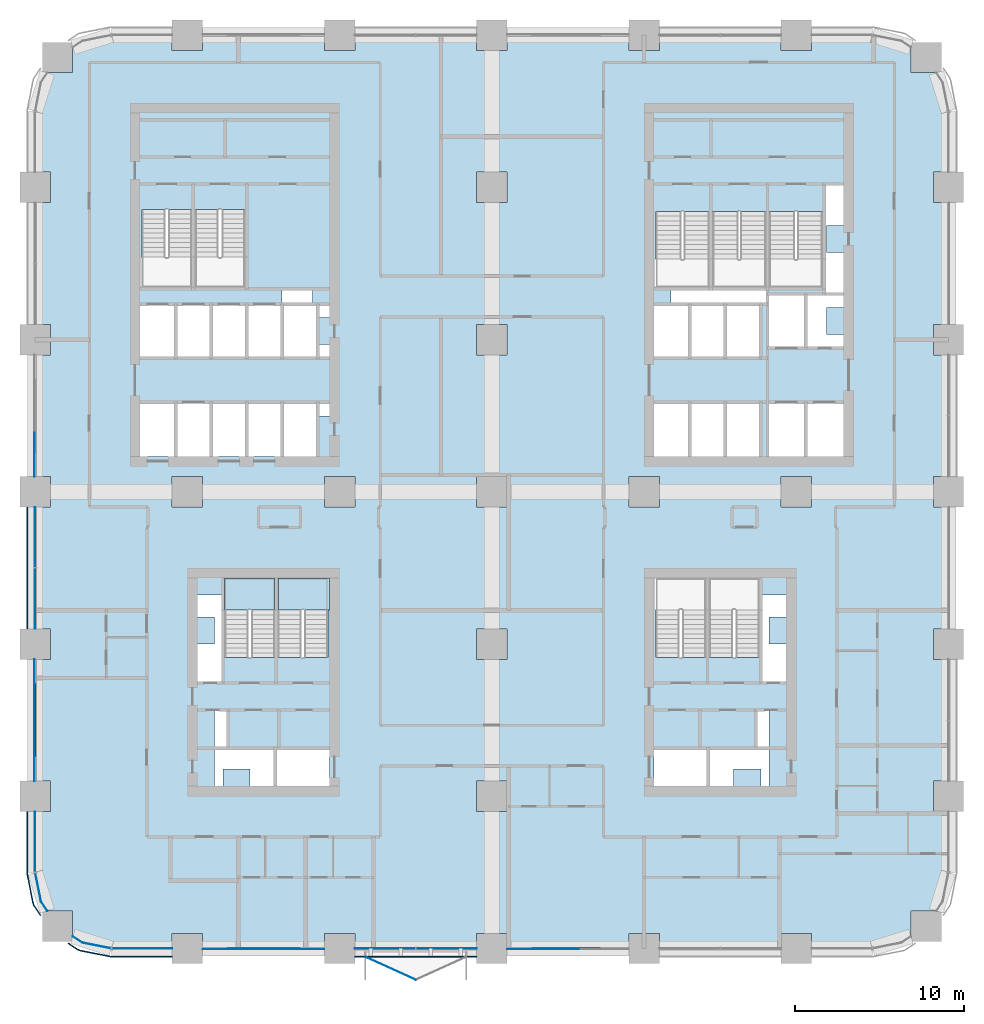
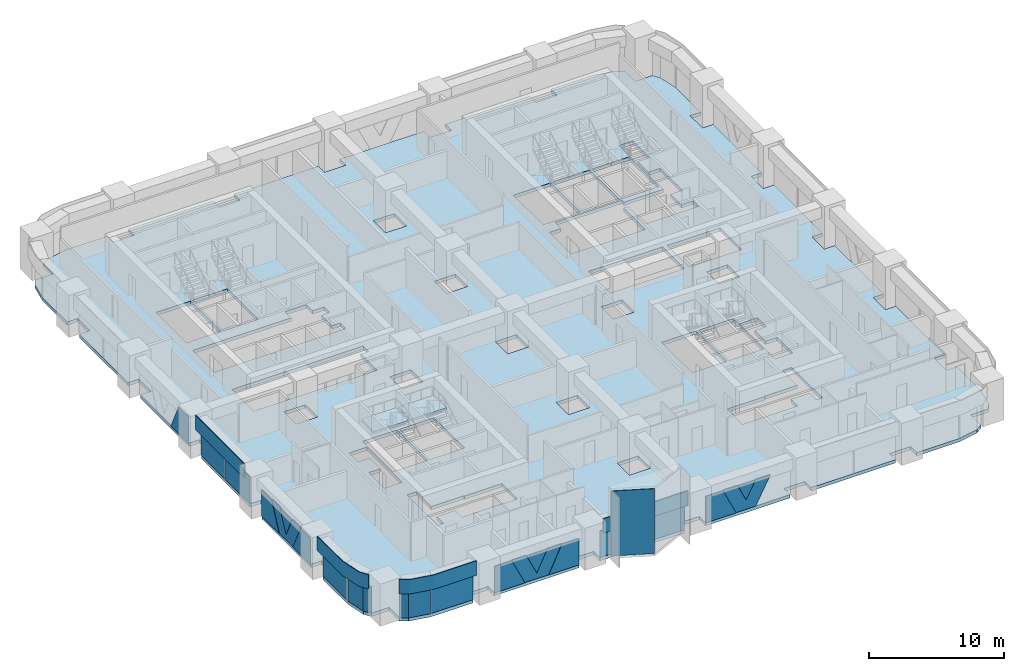
# One storey, part 11 of 24: 25 plates, 3 slabs, 10 elements without a shape of their own.
"""IFC4 building model written with IfcOpenShell, lengths in metres."""

import ifcopenshell
import ifcopenshell.guid

model = None  # the IFC model being written
_history = None  # IfcOwnerHistory: only IFC2X3 demands one
_inside = {}  # id of a spatial element -> (the spatial element, [elements in it])
_under = {}  # id of a project, library or spatial element -> (it, [spatial elements below it])
_declared = {}  # id of a project -> (the project, [libraries it declares])
_typed = {}  # id of a type object -> (the type object, [elements of that type])
_made_of = {}  # id of a material, layer set ... -> (it, [elements and type objects made of it])


def new_model(schema):
    """Start an empty IFC model of exactly this schema.

    Asked for "IFC4X3", IfcOpenShell would pick the latest addendum, in which some entities
    have other attributes; the version numbers below select the first issue.
    IFC2X3 requires an IfcOwnerHistory on every rooted entity: one is made here for all.
    """
    global model, _history
    if schema == "IFC4X3":
        model = ifcopenshell.file(schema_version=(4, 3, 0, 0))
    else:
        model = ifcopenshell.file(schema=schema)
    _inside.clear()
    _under.clear()
    _declared.clear()
    _typed.clear()
    _made_of.clear()
    _history = None
    if model.schema == "IFC2X3":
        org = make("IfcOrganization", Name="unknown")
        user = make(
            "IfcPersonAndOrganization",
            ThePerson=make("IfcPerson", FamilyName="unknown"),
            TheOrganization=org,
        )
        app = make(
            "IfcApplication",
            ApplicationDeveloper=org,
            Version="unknown",
            ApplicationFullName="unknown",
            ApplicationIdentifier="unknown",
        )
        _history = make(
            "IfcOwnerHistory",
            OwningUser=user,
            OwningApplication=app,
            ChangeAction="ADDED",
            CreationDate=0,
        )
    return model


def make(cls, **values):
    """One entity of the class cls with the attributes given. An attribute that is None is left unset."""
    return model.create_entity(
        cls, **{name: value for name, value in values.items() if value is not None}
    )


def rooted(cls, **values):
    """An entity with a GlobalId (a new one), such as an element, a storey or a relation."""
    return make(cls, GlobalId=ifcopenshell.guid.new(), OwnerHistory=_history, **values)


def si_unit(unit_type, name, prefix=None):
    """IfcSIUnit, for example si_unit("LENGTHUNIT", "METRE", prefix="MILLI")."""
    return make("IfcSIUnit", UnitType=unit_type, Prefix=prefix, Name=name)


def assignment(units):
    """IfcUnitAssignment: the units of a project."""
    return None if units is None else make("IfcUnitAssignment", Units=units)


def point(xyz):
    """IfcCartesianPoint."""
    return None if xyz is None else make("IfcCartesianPoint", Coordinates=xyz)


def direction(xyz):
    """IfcDirection."""
    return None if xyz is None else make("IfcDirection", DirectionRatios=xyz)


def frame(location, z_axis=None, x_axis=None):
    """IfcAxis2Placement3D, a coordinate frame: its origin and axes. An axis left out is left unset."""
    return make(
        "IfcAxis2Placement3D",
        Location=point(location),
        Axis=direction(z_axis),
        RefDirection=direction(x_axis),
    )


def frame_2d(location, x_axis=None):
    """IfcAxis2Placement2D, a coordinate frame in the plane: its origin and x axis."""
    return make(
        "IfcAxis2Placement2D", Location=point(location), RefDirection=direction(x_axis)
    )


def origin():
    """The frame at (0, 0, 0) with its axes left unset."""
    return frame((0.0, 0.0, 0.0))


def origin_2d():
    """The frame at (0, 0) in the plane with its x axis left unset."""
    return frame_2d((0.0, 0.0))


def place(relative_to, where):
    """IfcLocalPlacement: puts the frame where relative to a parent placement (None: the world)."""
    return make(
        "IfcLocalPlacement", PlacementRelTo=relative_to, RelativePlacement=where
    )


def context(
    kind, dimensions, precision=None, world=None, true_north=None, identifier=None
):
    """IfcGeometricRepresentationContext, for example the 3D "Model" context."""
    return make(
        "IfcGeometricRepresentationContext",
        ContextIdentifier=identifier,
        ContextType=kind,
        CoordinateSpaceDimension=dimensions,
        Precision=precision,
        WorldCoordinateSystem=world,
        TrueNorth=true_north,
    )


def subcontext(parent, identifier, kind, view, scale=None):
    """IfcGeometricRepresentationSubContext, for example "Body" below "Model"."""
    return make(
        "IfcGeometricRepresentationSubContext",
        ContextIdentifier=identifier,
        ContextType=kind,
        ParentContext=parent,
        TargetScale=scale,
        TargetView=view,
    )


def project(units=None, contexts=None):
    """IfcProject with its units and contexts."""
    return rooted(
        "IfcProject",
        Name="project",
        RepresentationContexts=contexts,
        UnitsInContext=assignment(units),
    )


def spatial(cls, under=None, at=None, **own):
    """A site, building, storey or space (cls), placed at a placement, below another one or the project."""
    s = rooted(cls, ObjectPlacement=at, **own)
    if under is not None:
        _under.setdefault(under.id(), (under, []))[1].append(s)
    return s


def polyline(points):
    """IfcPolyline through the points."""
    return make("IfcPolyline", Points=[point(p) for p in points])


def profile(cls, at=None, kind="AREA", **sizes):
    """A parametric profile (cls). Its sizes go by their IFC names, for example OverallWidth=200.0."""
    return make(cls, ProfileType=kind, Position=at, **sizes)


def rectangle(**sizes):
    """IfcRectangleProfileDef."""
    return profile("IfcRectangleProfileDef", **sizes)


def outline(outer, holes=None, kind="AREA"):
    """IfcArbitraryClosedProfileDef: a profile drawn as a closed curve; with holes, ...WithVoids."""
    if holes is None:
        return make("IfcArbitraryClosedProfileDef", ProfileType=kind, OuterCurve=outer)
    return make(
        "IfcArbitraryProfileDefWithVoids",
        ProfileType=kind,
        OuterCurve=outer,
        InnerCurves=holes,
    )


def extrude(swept, where, along, depth):
    """IfcExtrudedAreaSolid: the profile swept, set in the frame where, extruded along a direction by depth."""
    return make(
        "IfcExtrudedAreaSolid",
        SweptArea=swept,
        Position=where,
        ExtrudedDirection=direction(along),
        Depth=depth,
    )


def shape(context_of_items, identifier, shape_type, items):
    """IfcShapeRepresentation: the items that make up one representation, for example the "Body"."""
    return make(
        "IfcShapeRepresentation",
        ContextOfItems=context_of_items,
        RepresentationIdentifier=identifier,
        RepresentationType=shape_type,
        Items=items,
    )


def material(Name=None, Category=None):
    """IfcMaterial."""
    return make("IfcMaterial", Name=Name, Category=Category)


def layer(
    of_material, thickness, ventilated=None, Name=None, Category=None, Priority=None
):
    """IfcMaterialLayer: one layer of a wall or slab, of a material (None: an air gap)."""
    return make(
        "IfcMaterialLayer",
        Material=of_material,
        LayerThickness=thickness,
        IsVentilated=ventilated,
        Name=Name,
        Category=Category,
        Priority=Priority,
    )


def layer_set(layers, Name=None):
    """IfcMaterialLayerSet."""
    return make("IfcMaterialLayerSet", MaterialLayers=layers, LayerSetName=Name)


def made_of(thing, what):
    """Note that an element or type object is made of a material, layer set ...; save() writes the relation."""
    if what is not None:
        _made_of.setdefault(what.id(), (what, []))[1].append(thing)
    return thing


def type_object(cls, material=None, **own):
    """A type object (cls), such as IfcWallType, which elements share."""
    return made_of(rooted(cls, **own), material)


def element(
    cls,
    number,
    at=None,
    inside=None,
    cuts=None,
    type_object=None,
    material=None,
    context=None,
    identifier="Body",
    shape_type=None,
    held_by="IfcProductDefinitionShape",
    body=None,
    shapes=None,
    **own,
):
    """One element of the class cls, such as IfcWall. Its Tag is "e" and its number.

    at: its placement. inside: the storey or other place that contains it. cuts: it is an
    opening in that element (IfcRelVoidsElement). A single representation is given by context,
    identifier, shape_type and body (its items); several are given by shapes. held_by: the class
    of the entity that holds the representations. save() writes the other relations.
    """
    e = rooted(cls, Tag="e%d" % number, ObjectPlacement=at, **own)
    if body is not None:
        shapes = [shape(context, identifier, shape_type, body)]
    if shapes is not None:
        e.Representation = make(held_by, Representations=shapes)
    if inside is not None:
        _inside.setdefault(inside.id(), (inside, []))[1].append(e)
    if cuts is not None:
        rooted(
            "IfcRelVoidsElement", RelatingBuildingElement=cuts, RelatedOpeningElement=e
        )
    if type_object is not None:
        _typed.setdefault(type_object.id(), (type_object, []))[1].append(e)
    return made_of(e, material)


def aggregate(whole, parts):
    """IfcRelAggregates: a whole, such as a stair, and the parts it consists of."""
    return rooted("IfcRelAggregates", RelatingObject=whole, RelatedObjects=parts)


def save(model, path):
    """Write the relations noted so far, then the file.

    IfcRelAggregates (storeys below a building ...), IfcRelContainedInSpatialStructure (elements
    in a storey), IfcRelDefinesByType, IfcRelAssociatesMaterial and IfcRelDeclares: one each for
    every whole, place, type object, material and project.
    """
    for whole, parts in _under.values():
        aggregate(whole, parts)
    for where, things in _inside.values():
        rooted(
            "IfcRelContainedInSpatialStructure",
            RelatedElements=things,
            RelatingStructure=where,
        )
    for kind, things in _typed.values():
        rooted("IfcRelDefinesByType", RelatedObjects=things, RelatingType=kind)
    for what, things in _made_of.values():
        rooted("IfcRelAssociatesMaterial", RelatedObjects=things, RelatingMaterial=what)
    for by, libraries in _declared.values():
        rooted("IfcRelDeclares", RelatingContext=by, RelatedDefinitions=libraries)
    model.write(path)


model = new_model("IFC4")

# Units and contexts
model_context = context("Model", 3, precision=1e-05, world=origin(), true_north=direction((0.0, 1.0)))
body_context = subcontext(model_context, "Body", "Model", "MODEL_VIEW")
ifc_project = project(units=[si_unit("LENGTHUNIT", "METRE"), si_unit("AREAUNIT", "SQUARE_METRE"), si_unit("VOLUMEUNIT", "CUBIC_METRE"), si_unit("PLANEANGLEUNIT", "RADIAN"), si_unit("MASSUNIT", "GRAM", prefix="KILO")], contexts=[model_context])

# Site, building, storey
site_placement = place(None, origin())
site = spatial("IfcSite", under=ifc_project, at=site_placement, CompositionType="ELEMENT")
building_placement = place(site_placement, origin())
building = spatial("IfcBuilding", under=site, at=building_placement, Name="Tessera Arch", CompositionType="ELEMENT")
storey_placement = place(building_placement, frame((0.0, 0.0, 38.60009765625)))
storey = spatial("IfcBuildingStorey", under=building, at=storey_placement, Name="L07", CompositionType="ELEMENT", Elevation=38.60009765625)

# Curtain wall, plates
ifc_material_1 = material(Name="CW1 curtain wall")
curtain_wall_type_1 = type_object("IfcCurtainWallType", Name="CW1 curtain wall", PredefinedType="NOTDEFINED", material=ifc_material_1)
curtain_wall_1_placement = place(storey_placement, origin())
curtain_wall_1 = element("IfcCurtainWall", 1, at=curtain_wall_1_placement, inside=storey, type_object=curtain_wall_type_1, Name="CW1 curtain wall S0.0/1 L07", PredefinedType="NOTDEFINED")
ifc_material_2 = material(Name="Clear low-e glass", Category="glass")
ifc_material_3 = material(Name="Clear low-e glass", Category="glass")
ifc_layer_1 = layer(ifc_material_3, 0.028076171875)
ifc_layer_set_1 = layer_set([ifc_layer_1], Name="CW1 glass panel")
plate_type_1 = type_object("IfcPlateType", Name="CW1 glass panel", PredefinedType="CURTAIN_PANEL", material=ifc_layer_set_1)
plate_1_placement = place(storey_placement, frame((20.68505859375, 0.0, 0.0), z_axis=(0.0, 0.0, 1.0), x_axis=(1.0, 0.0, 0.0)))
plate_1 = element("IfcPlate", 2, at=plate_1_placement, type_object=plate_type_1, material=ifc_material_2, Name="CW1 glass panel S0.0/1 1.1.1", PredefinedType="CURTAIN_PANEL", context=body_context, shape_type="SweptSolid", body=[
    extrude(rectangle(XDim=3.570068359375, YDim=0.028076171875, at=origin_2d()), origin(), (0.0, 0.0, 1.0), 2.39990234375),
])
plate_2_placement = place(storey_placement, frame((24.31494140625, 0.0, 0.0), z_axis=(0.0, 0.0, 1.0), x_axis=(1.0, 0.0, 0.0)))
plate_2 = element("IfcPlate", 3, at=plate_2_placement, type_object=plate_type_1, material=ifc_material_2, Name="CW1 glass panel S0.0/1 1.2.1", PredefinedType="CURTAIN_PANEL", context=body_context, shape_type="SweptSolid", body=[
    extrude(rectangle(XDim=3.570068359375, YDim=0.028076171875, at=origin_2d()), origin(), (0.0, 0.0, 1.0), 2.39990234375),
])

curtain_wall_2_placement = place(storey_placement, origin())
curtain_wall_2 = element("IfcCurtainWall", 4, at=curtain_wall_2_placement, inside=storey, type_object=curtain_wall_type_1, Name="CW1 curtain wall W0.0/3 L07", PredefinedType="NOTDEFINED")
plate_3_placement = place(storey_placement, frame((0.0, 24.31494140625, 0.0), z_axis=(0.0, 0.0, 1.0), x_axis=(0.0, -1.0, 0.0)))
plate_3 = element("IfcPlate", 5, at=plate_3_placement, type_object=plate_type_1, material=ifc_material_2, Name="CW1 glass panel W0.0/3 1.1.1", PredefinedType="CURTAIN_PANEL", context=body_context, shape_type="SweptSolid", body=[
    extrude(rectangle(XDim=3.570068359375, YDim=0.028076171875, at=origin_2d()), origin(), (0.0, 0.0, 1.0), 2.39990234375),
])
plate_4_placement = place(storey_placement, frame((0.0, 20.68505859375, 0.0), z_axis=(0.0, 0.0, 1.0), x_axis=(0.0, -1.0, 0.0)))
plate_4 = element("IfcPlate", 6, at=plate_4_placement, type_object=plate_type_1, material=ifc_material_2, Name="CW1 glass panel W0.0/3 1.2.1", PredefinedType="CURTAIN_PANEL", context=body_context, shape_type="SweptSolid", body=[
    extrude(rectangle(XDim=3.570068359375, YDim=0.028076171875, at=origin_2d()), origin(), (0.0, 0.0, 1.0), 2.39990234375),
])

# Plate
ifc_material_4 = material(Name="Pale anodised aluminium panel", Category="aluminium")
ifc_layer_2 = layer(ifc_material_4, 0.06005859375)
ifc_layer_set_2 = layer_set([ifc_layer_2], Name="CW1 spandrel panel")
plate_type_2 = type_object("IfcPlateType", Name="CW1 spandrel panel", PredefinedType="CURTAIN_PANEL", material=ifc_layer_set_2)
plate_5_placement = place(storey_placement, frame((22.5, -0.47998046875, 2.5), z_axis=(0.0, 0.0, 1.0), x_axis=(1.0, 0.0, 0.0)))
plate_5 = element("IfcPlate", 7, at=plate_5_placement, type_object=plate_type_2, Name="CW1 spandrel panel S0.0/1", PredefinedType="CURTAIN_PANEL", context=body_context, shape_type="SweptSolid", body=[
    extrude(rectangle(XDim=7.199951171875, YDim=0.06005859375, at=origin_2d()), origin(), (0.0, 0.0, 1.0), 1.300048828125),
])

aggregate(curtain_wall_1, [plate_1, plate_2, plate_5])

plate_6_placement = place(storey_placement, frame((-0.47998046875, 22.5, 2.5), z_axis=(0.0, 0.0, 1.0), x_axis=(0.0, -1.0, 0.0)))
plate_6 = element("IfcPlate", 8, at=plate_6_placement, type_object=plate_type_2, Name="CW1 spandrel panel W0.0/3", PredefinedType="CURTAIN_PANEL", context=body_context, shape_type="SweptSolid", body=[
    extrude(rectangle(XDim=7.199951171875, YDim=0.06005859375, at=origin_2d()), origin(), (0.0, 0.0, 1.0), 1.300048828125),
])

aggregate(curtain_wall_2, [plate_3, plate_4, plate_6])

# Curtain wall, plates
ifc_material_5 = material(Name="CW2 curtain wall")
curtain_wall_type_2 = type_object("IfcCurtainWallType", Name="CW2 curtain wall", PredefinedType="NOTDEFINED", material=ifc_material_5)
curtain_wall_3_placement = place(storey_placement, origin())
curtain_wall_3 = element("IfcCurtainWall", 9, at=curtain_wall_3_placement, inside=storey, type_object=curtain_wall_type_2, Name="CW2 curtain wall W0.0/5 L07", PredefinedType="NOTDEFINED")
ifc_material_6 = material(Name="Clear low-e glass", Category="glass")
ifc_layer_3 = layer(ifc_material_6, 0.028076171875)
ifc_layer_set_3 = layer_set([ifc_layer_3], Name="CW2 glass panel")
plate_type_3 = type_object("IfcPlateType", Name="CW2 glass panel", PredefinedType="CURTAIN_PANEL", material=ifc_layer_set_3)
plate_7_placement = place(storey_placement, frame((0.0, 6.320068359375, 0.0), z_axis=(0.0, 0.0, 1.0), x_axis=(0.0, -1.0, 0.0)))
plate_7 = element("IfcPlate", 10, at=plate_7_placement, type_object=plate_type_3, material=ifc_material_2, Name="CW2 glass panel W0.0/5 1.1", PredefinedType="CURTAIN_PANEL", context=body_context, shape_type="SweptSolid", body=[
    extrude(rectangle(XDim=3.56005859375, YDim=0.028076171875, at=origin_2d()), origin(), (0.0, 0.0, 1.0), 2.39990234375),
])
plate_8_placement = place(storey_placement, origin())
plate_8 = element("IfcPlate", 11, at=plate_8_placement, type_object=plate_type_3, material=ifc_material_2, Name="CW2 curved glass panel W0.0/5 2.1", PredefinedType="CURTAIN_PANEL", context=body_context, shape_type="SweptSolid", body=[
    extrude(outline(polyline([(0.355712890625, 2.783447265625), (0.021484375, 4.46337890625), (-0.005859375, 4.4580078125), (0.329345703125, 2.7724609375), (0.705078125, 2.210205078125), (0.728271484375, 2.225830078125), (0.355712890625, 2.783447265625)])), origin(), (0.0, 0.0, 1.0), 2.39990234375),
])

curtain_wall_4_placement = place(storey_placement, origin())
curtain_wall_4 = element("IfcCurtainWall", 12, at=curtain_wall_4_placement, inside=storey, type_object=curtain_wall_type_2, Name="CW2 curtain wall S0.0/5 L07", PredefinedType="NOTDEFINED")
plate_9_placement = place(storey_placement, frame((6.320068359375, 0.0, 0.0), z_axis=(0.0, 0.0, 1.0), x_axis=(1.0, 0.0, 0.0)))
plate_9 = element("IfcPlate", 13, at=plate_9_placement, type_object=plate_type_3, material=ifc_material_2, Name="CW2 glass panel S0.0/5 1.1", PredefinedType="CURTAIN_PANEL", context=body_context, shape_type="SweptSolid", body=[
    extrude(rectangle(XDim=3.56005859375, YDim=0.028076171875, at=origin_2d()), origin(), (0.0, 0.0, 1.0), 2.39990234375),
])
plate_10_placement = place(storey_placement, origin())
plate_10 = element("IfcPlate", 14, at=plate_10_placement, type_object=plate_type_3, material=ifc_material_2, Name="CW2 curved glass panel S0.0/5 2.1", PredefinedType="CURTAIN_PANEL", context=body_context, shape_type="SweptSolid", body=[
    extrude(outline(polyline([(2.783447265625, 0.355712890625), (2.225830078125, 0.728271484375), (2.210205078125, 0.705078125), (2.7724609375, 0.329345703125), (4.4580078125, -0.005859375), (4.46337890625, 0.021484375), (2.783447265625, 0.355712890625)])), origin(), (0.0, 0.0, 1.0), 2.39990234375),
])

# Plate
ifc_material_7 = material(Name="Pale anodised aluminium panel", Category="aluminium")
ifc_layer_4 = layer(ifc_material_7, 0.06005859375)
ifc_layer_set_4 = layer_set([ifc_layer_4], Name="CW2 spandrel panel")
plate_type_4 = type_object("IfcPlateType", Name="CW2 spandrel panel", PredefinedType="CURTAIN_PANEL", material=ifc_layer_set_4)
plate_11_placement = place(storey_placement, frame((0.0, 0.0, 2.5)))
plate_11 = element("IfcPlate", 15, at=plate_11_placement, type_object=plate_type_4, Name="CW2 spandrel panel W0.0/5", PredefinedType="CURTAIN_PANEL", context=body_context, shape_type="SweptSolid", body=[
    extrude(outline(polyline([(-0.449951171875, 4.500732421875), (-0.449951171875, 8.10009765625), (-0.510009765625, 8.10009765625), (-0.510009765625, 4.499267578125), (-0.507568359375, 4.449951171875), (-0.500244140625, 4.401123046875), (-0.157470703125, 2.677734375), (-0.1455078125, 2.6298828125), (-0.128662109375, 2.582763671875), (-0.107177734375, 2.537353515625), (-0.08203125, 2.4951171875), (0.292724609375, 1.9345703125), (0.342529296875, 1.968017578125), (-0.03125, 2.52734375), (-0.05419921875, 2.565673828125), (-0.0732421875, 2.605712890625), (-0.088134765625, 2.647216796875), (-0.09912109375, 2.69091796875), (-0.441162109375, 4.411376953125), (-0.44775390625, 4.455810546875), (-0.449951171875, 4.500732421875)])), origin(), (0.0, 0.0, 1.0), 1.2998046875),
])

aggregate(curtain_wall_3, [plate_7, plate_8, plate_11])

plate_12_placement = place(storey_placement, frame((0.0, 0.0, 2.5)))
plate_12 = element("IfcPlate", 16, at=plate_12_placement, type_object=plate_type_4, Name="CW2 spandrel panel S0.0/5", PredefinedType="CURTAIN_PANEL", context=body_context, shape_type="SweptSolid", body=[
    extrude(outline(polyline([(2.52734375, -0.03125), (1.968017578125, 0.342529296875), (1.9345703125, 0.292724609375), (2.4951171875, -0.08203125), (2.537353515625, -0.107177734375), (2.582763671875, -0.128662109375), (2.6298828125, -0.1455078125), (2.677734375, -0.157470703125), (4.401123046875, -0.500244140625), (4.449951171875, -0.507568359375), (4.499267578125, -0.510009765625), (8.10009765625, -0.510009765625), (8.10009765625, -0.449951171875), (4.500732421875, -0.449951171875), (4.455810546875, -0.44775390625), (4.411376953125, -0.441162109375), (2.69091796875, -0.09912109375), (2.647216796875, -0.088134765625), (2.605712890625, -0.0732421875), (2.565673828125, -0.05419921875), (2.52734375, -0.03125)])), origin(), (0.0, 0.0, 1.0), 1.2998046875),
])

aggregate(curtain_wall_4, [plate_9, plate_10, plate_12])

# Curtain wall, plate
ifc_material_8 = material(Name="CW3 curtain wall")
curtain_wall_type_3 = type_object("IfcCurtainWallType", Name="CW3 curtain wall", PredefinedType="NOTDEFINED", material=ifc_material_8)
curtain_wall_5_placement = place(storey_placement, origin())
curtain_wall_5 = element("IfcCurtainWall", 17, at=curtain_wall_5_placement, inside=storey, type_object=curtain_wall_type_3, Name="CW3 curtain wall S0.0/0 L07", PredefinedType="NOTDEFINED")
ifc_material_9 = material(Name="Pale anodised aluminium panel", Category="aluminium")
ifc_layer_5 = layer(ifc_material_9, 0.06005859375)
ifc_layer_set_5 = layer_set([ifc_layer_5], Name="CW3 diagonal panel")
plate_type_5 = type_object("IfcPlateType", Name="CW3 diagonal panel", PredefinedType="CURTAIN_PANEL", material=ifc_layer_set_5)
plate_13_placement = place(storey_placement, frame((15.644287109375, -0.030029296875, 2.39990234375), z_axis=(0.0, -1.0, 0.0), x_axis=(-1.0, 0.0, 0.0)))
plate_13 = element("IfcPlate", 18, at=plate_13_placement, type_object=plate_type_5, Name="CW3 diagonal panel S0.0/0 1", PredefinedType="CURTAIN_PANEL", context=body_context, shape_type="SweptSolid", body=[
    extrude(outline(polyline([(0.0, 0.0), (1.257080078125, 0.0), (2.144287109375, 1.873046875), (3.031494140625, 0.0), (4.28857421875, 0.0), (3.15185546875, 2.39990234375), (1.13671875, 2.39990234375), (0.0, 0.0)])), origin(), (0.0, 0.0, -1.0), 0.06005859375),
])

curtain_wall_6_placement = place(storey_placement, origin())
curtain_wall_6 = element("IfcCurtainWall", 19, at=curtain_wall_6_placement, inside=storey, type_object=curtain_wall_type_3, Name="CW3 curtain wall S0.0/2 L07", PredefinedType="NOTDEFINED")
plate_14_placement = place(storey_placement, frame((33.418212890625, -0.030029296875, 2.39990234375), z_axis=(0.0, -1.0, 0.0), x_axis=(-1.0, 0.0, 0.0)))
plate_14 = element("IfcPlate", 20, at=plate_14_placement, type_object=plate_type_5, Name="CW3 diagonal panel S0.0/2 1", PredefinedType="CURTAIN_PANEL", context=body_context, shape_type="SweptSolid", body=[
    extrude(outline(polyline([(0.0, 0.0), (1.284912109375, 0.0), (2.086669921875, 1.517578125), (2.805419921875, 0.0), (4.0625, 0.0), (2.92578125, 2.39990234375), (1.267822265625, 2.39990234375), (0.0, 0.0)])), origin(), (0.0, 0.0, -1.0), 0.06005859375),
])

curtain_wall_7_placement = place(storey_placement, origin())
curtain_wall_7 = element("IfcCurtainWall", 21, at=curtain_wall_7_placement, inside=storey, type_object=curtain_wall_type_3, Name="CW3 curtain wall W0.0/4 L07", PredefinedType="NOTDEFINED")
plate_15_placement = place(storey_placement, frame((-0.030029296875, 11.355712890625, 2.39990234375), z_axis=(-1.0, 0.0, 0.0), x_axis=(0.0, 1.0, 0.0)))
plate_15 = element("IfcPlate", 22, at=plate_15_placement, type_object=plate_type_5, Name="CW3 diagonal panel W0.0/4 1", PredefinedType="CURTAIN_PANEL", context=body_context, shape_type="SweptSolid", body=[
    extrude(outline(polyline([(0.0, 0.0), (1.257080078125, 0.0), (2.144287109375, 1.873046875), (3.031494140625, 0.0), (4.28857421875, 0.0), (3.15185546875, 2.39990234375), (1.13671875, 2.39990234375), (0.0, 0.0)])), origin(), (0.0, 0.0, -1.0), 0.06005859375),
])

# Plate
ifc_material_10 = material(Name="Clear low-e glass", Category="glass")
ifc_layer_6 = layer(ifc_material_10, 0.028076171875)
ifc_layer_set_6 = layer_set([ifc_layer_6], Name="CW3 glass panel")
plate_type_6 = type_object("IfcPlateType", Name="CW3 glass panel", PredefinedType="CURTAIN_PANEL", material=ifc_layer_set_6)
plate_16_placement = place(storey_placement, frame((9.89990234375, -0.05810546875, 0.0), z_axis=(0.0, -1.0, 0.0), x_axis=(1.0, 0.0, 0.0)))
plate_16 = element("IfcPlate", 23, at=plate_16_placement, type_object=plate_type_6, material=ifc_material_2, Name="CW3 triangulated glass panel S0.0/0 1", PredefinedType="CURTAIN_PANEL", context=body_context, shape_type="SweptSolid", body=[
    extrude(outline(polyline([(0.0, 0.0), (2.592529296875, 0.0), (1.455810546875, 2.39990234375), (0.0, 2.39990234375), (0.0, 0.0)])), origin(), (0.0, 0.0, -1.0), 0.028076171875),
])

plate_17_placement = place(storey_placement, frame((14.38720703125, -0.05810546875, 2.39990234375), z_axis=(0.0, -1.0, 0.0), x_axis=(-1.0, 0.0, 0.0)))
plate_17 = element("IfcPlate", 24, at=plate_17_placement, type_object=plate_type_6, material=ifc_material_2, Name="CW3 triangulated glass panel S0.0/0 2", PredefinedType="CURTAIN_PANEL", context=body_context, shape_type="SweptSolid", body=[
    extrude(outline(polyline([(0.0, 0.0), (1.7744140625, 0.0), (0.88720703125, 1.873046875), (0.0, 0.0)])), origin(), (0.0, 0.0, -1.0), 0.028076171875),
])

plate_18_placement = place(storey_placement, frame((17.10009765625, -0.05810546875, 2.39990234375), z_axis=(0.0, -1.0, 0.0), x_axis=(-1.0, 0.0, 0.0)))
plate_18 = element("IfcPlate", 25, at=plate_18_placement, type_object=plate_type_6, material=ifc_material_2, Name="CW3 triangulated glass panel S0.0/0 3", PredefinedType="CURTAIN_PANEL", context=body_context, shape_type="SweptSolid", body=[
    extrude(outline(polyline([(0.0, 0.0), (1.455810546875, 0.0), (2.592529296875, 2.39990234375), (0.0, 2.39990234375), (0.0, 0.0)])), origin(), (0.0, 0.0, -1.0), 0.028076171875),
])

aggregate(curtain_wall_5, [plate_16, plate_17, plate_18, plate_13])

plate_19_placement = place(storey_placement, frame((27.89990234375, -0.05810546875, 0.0), z_axis=(0.0, -1.0, 0.0), x_axis=(1.0, 0.0, 0.0)))
plate_19 = element("IfcPlate", 26, at=plate_19_placement, type_object=plate_type_6, material=ifc_material_2, Name="CW3 triangulated glass panel S0.0/2 1", PredefinedType="CURTAIN_PANEL", context=body_context, shape_type="SweptSolid", body=[
    extrude(outline(polyline([(0.0, 0.0), (2.592529296875, 0.0), (1.455810546875, 2.39990234375), (0.0, 2.39990234375), (0.0, 0.0)])), origin(), (0.0, 0.0, -1.0), 0.028076171875),
])

plate_20_placement = place(storey_placement, frame((32.13330078125, -0.05810546875, 2.39990234375), z_axis=(0.0, -1.0, 0.0), x_axis=(-1.0, 0.0, 0.0)))
plate_20 = element("IfcPlate", 27, at=plate_20_placement, type_object=plate_type_6, material=ifc_material_2, Name="CW3 triangulated glass panel S0.0/2 2", PredefinedType="CURTAIN_PANEL", context=body_context, shape_type="SweptSolid", body=[
    extrude(outline(polyline([(0.0, 0.0), (1.5205078125, 0.0), (0.8017578125, 1.517578125), (0.0, 0.0)])), origin(), (0.0, 0.0, -1.0), 0.028076171875),
])

aggregate(curtain_wall_6, [plate_19, plate_20, plate_14])

# Curtain wall, plate
curtain_wall_8_placement = place(storey_placement, origin())
curtain_wall_8 = element("IfcCurtainWall", 28, at=curtain_wall_8_placement, inside=storey, type_object=curtain_wall_type_3, Name="CW3 curtain wall W0.0/2 L07", PredefinedType="NOTDEFINED")
plate_21_placement = place(storey_placement, frame((-0.05810546875, 27.89990234375, 2.39990234375), z_axis=(-1.0, 0.0, 0.0), x_axis=(0.0, 1.0, 0.0)))
plate_21 = element("IfcPlate", 29, at=plate_21_placement, type_object=plate_type_6, material=ifc_material_2, Name="CW3 triangulated glass panel W0.0/2 3", PredefinedType="CURTAIN_PANEL", context=body_context, shape_type="SweptSolid", body=[
    extrude(outline(polyline([(0.0, 0.0), (1.455810546875, 0.0), (2.592529296875, 2.39990234375), (0.0, 2.39990234375), (0.0, 0.0)])), origin(), (0.0, 0.0, -1.0), 0.028076171875),
])
aggregate(curtain_wall_8, [plate_21])

# Plate
plate_22_placement = place(storey_placement, frame((-0.05810546875, 17.10009765625, 0.0), z_axis=(-1.0, 0.0, 0.0), x_axis=(0.0, -1.0, 0.0)))
plate_22 = element("IfcPlate", 30, at=plate_22_placement, type_object=plate_type_6, material=ifc_material_2, Name="CW3 triangulated glass panel W0.0/4 1", PredefinedType="CURTAIN_PANEL", context=body_context, shape_type="SweptSolid", body=[
    extrude(outline(polyline([(0.0, 0.0), (2.592529296875, 0.0), (1.455810546875, 2.39990234375), (0.0, 2.39990234375), (0.0, 0.0)])), origin(), (0.0, 0.0, -1.0), 0.028076171875),
])

plate_23_placement = place(storey_placement, frame((-0.05810546875, 12.61279296875, 2.39990234375), z_axis=(-1.0, 0.0, 0.0), x_axis=(0.0, 1.0, 0.0)))
plate_23 = element("IfcPlate", 31, at=plate_23_placement, type_object=plate_type_6, material=ifc_material_2, Name="CW3 triangulated glass panel W0.0/4 2", PredefinedType="CURTAIN_PANEL", context=body_context, shape_type="SweptSolid", body=[
    extrude(outline(polyline([(0.0, 0.0), (1.7744140625, 0.0), (0.88720703125, 1.873046875), (0.0, 0.0)])), origin(), (0.0, 0.0, -1.0), 0.028076171875),
])

plate_24_placement = place(storey_placement, frame((-0.05810546875, 9.89990234375, 2.39990234375), z_axis=(-1.0, 0.0, 0.0), x_axis=(0.0, 1.0, 0.0)))
plate_24 = element("IfcPlate", 32, at=plate_24_placement, type_object=plate_type_6, material=ifc_material_2, Name="CW3 triangulated glass panel W0.0/4 3", PredefinedType="CURTAIN_PANEL", context=body_context, shape_type="SweptSolid", body=[
    extrude(outline(polyline([(0.0, 0.0), (1.455810546875, 0.0), (2.592529296875, 2.39990234375), (0.0, 2.39990234375), (0.0, 0.0)])), origin(), (0.0, 0.0, -1.0), 0.028076171875),
])

aggregate(curtain_wall_7, [plate_22, plate_23, plate_24, plate_15])

# Slab
ifc_material_11 = material(Name="Concrete C40/50", Category="concrete")
ifc_layer_7 = layer(ifc_material_11, 0.300048828125)
ifc_layer_set_7 = layer_set([ifc_layer_7], Name="Floor slab 300 Concrete C40/50")
slab_type_1 = type_object("IfcSlabType", Name="Floor slab 300 Concrete C40/50", PredefinedType="FLOOR", material=ifc_layer_set_7)
slab_1_placement = place(storey_placement, frame((0.0, 0.0, -0.300048828125)))
element("IfcSlab", 33, at=slab_1_placement, inside=storey, type_object=slab_type_1, Name="Floor slab L07 1", PredefinedType="FLOOR", context=body_context, shape_type="SweptSolid", body=[
    extrude(outline(polyline([(4.5, 0.0), (2.77783203125, 0.342529296875), (2.218017578125, 0.716552734375), (2.218017578125, 2.218017578125), (0.716552734375, 2.218017578125), (0.342529296875, 2.77783203125), (0.0, 4.5), (0.0, 8.10009765625), (0.89990234375, 8.10009765625), (0.89990234375, 9.89990234375), (0.0, 9.89990234375), (0.0, 17.10009765625), (0.89990234375, 17.10009765625), (0.89990234375, 18.89990234375), (0.0, 18.89990234375), (0.0, 26.10009765625), (0.89990234375, 26.10009765625), (0.89990234375, 27.89990234375), (0.0, 27.89990234375), (0.0, 35.10009765625), (0.89990234375, 35.10009765625), (0.89990234375, 36.89990234375), (0.0, 36.89990234375), (0.0, 44.10009765625), (0.89990234375, 44.10009765625), (0.89990234375, 45.89990234375), (0.0, 45.89990234375), (0.0, 49.5), (0.342529296875, 51.22216796875), (0.716552734375, 51.781982421875), (2.218017578125, 51.781982421875), (2.218017578125, 53.283447265625), (2.77783203125, 53.657470703125), (4.5, 54.0), (8.10009765625, 54.0), (8.10009765625, 53.10009765625), (9.89990234375, 53.10009765625), (9.89990234375, 54.0), (17.10009765625, 54.0), (17.10009765625, 53.10009765625), (18.89990234375, 53.10009765625), (18.89990234375, 54.0), (26.10009765625, 54.0), (26.10009765625, 53.10009765625), (27.89990234375, 53.10009765625), (27.89990234375, 54.0), (35.10009765625, 54.0), (35.10009765625, 53.10009765625), (36.89990234375, 53.10009765625), (36.89990234375, 54.0), (44.10009765625, 54.0), (44.10009765625, 53.10009765625), (45.89990234375, 53.10009765625), (45.89990234375, 54.0), (49.5, 54.0), (51.22216796875, 53.657470703125), (51.781982421875, 53.283447265625), (51.781982421875, 51.781982421875), (53.283447265625, 51.781982421875), (53.657470703125, 51.22216796875), (54.0, 49.5), (54.0, 45.89990234375), (53.10009765625, 45.89990234375), (53.10009765625, 44.10009765625), (54.0, 44.10009765625), (54.0, 36.89990234375), (53.10009765625, 36.89990234375), (53.10009765625, 35.10009765625), (54.0, 35.10009765625), (54.0, 27.89990234375), (53.10009765625, 27.89990234375), (53.10009765625, 26.10009765625), (54.0, 26.10009765625), (54.0, 18.89990234375), (53.10009765625, 18.89990234375), (53.10009765625, 17.10009765625), (54.0, 17.10009765625), (54.0, 9.89990234375), (53.10009765625, 9.89990234375), (53.10009765625, 8.10009765625), (54.0, 8.10009765625), (54.0, 4.5), (53.657470703125, 2.77783203125), (53.283447265625, 2.218017578125), (51.781982421875, 2.218017578125), (51.781982421875, 0.716552734375), (51.22216796875, 0.342529296875), (49.5, 0.0), (45.89990234375, 0.0), (45.89990234375, 0.89990234375), (44.10009765625, 0.89990234375), (44.10009765625, 0.0), (36.89990234375, 0.0), (36.89990234375, 0.89990234375), (35.10009765625, 0.89990234375), (35.10009765625, 0.0), (27.89990234375, 0.0), (27.89990234375, 0.89990234375), (26.10009765625, 0.89990234375), (26.10009765625, 0.0), (18.89990234375, 0.0), (18.89990234375, 0.89990234375), (17.10009765625, 0.89990234375), (17.10009765625, 0.0), (9.89990234375, 0.0), (9.89990234375, 0.89990234375), (8.10009765625, 0.89990234375), (8.10009765625, 0.0), (4.5, 0.0)]), holes=[polyline([(11.10009765625, 9.60009765625), (11.10009765625, 10.60009765625), (12.699951171875, 10.60009765625), (12.699951171875, 9.60009765625), (14.199951171875, 9.60009765625), (17.39990234375, 9.60009765625), (17.39990234375, 11.85009765625), (14.199951171875, 11.85009765625), (14.199951171875, 11.89990234375), (11.39990234375, 11.89990234375), (11.39990234375, 14.10009765625), (10.60009765625, 14.10009765625), (10.60009765625, 11.89990234375), (10.60009765625, 9.60009765625), (11.10009765625, 9.60009765625)]), polyline([(9.60009765625, 19.60009765625), (10.60009765625, 19.60009765625), (10.60009765625, 18.0), (9.60009765625, 18.0), (9.60009765625, 15.699951171875), (11.10009765625, 15.699951171875), (11.10009765625, 20.89990234375), (9.60009765625, 20.89990234375), (9.60009765625, 19.60009765625)]), polyline([(12.60009765625, 17.2099609375), (12.60009765625, 17.199951171875), (12.75, 17.199951171875), (12.75, 17.2099609375), (14.14990234375, 17.2099609375), (14.14990234375, 21.699951171875), (11.199951171875, 21.699951171875), (11.199951171875, 17.2099609375), (12.60009765625, 17.2099609375)]), polyline([(8.10009765625, 26.10009765625), (9.89990234375, 26.10009765625), (9.89990234375, 27.89990234375), (8.10009765625, 27.89990234375), (8.10009765625, 26.10009765625)]), polyline([(12.5, 29.10009765625), (14.60009765625, 29.10009765625), (16.699951171875, 29.10009765625), (16.699951171875, 31.5), (17.39990234375, 31.5), (17.39990234375, 32.300048828125), (16.699951171875, 32.300048828125), (14.60009765625, 32.300048828125), (12.5, 32.300048828125), (10.39990234375, 32.300048828125), (8.300048828125, 32.300048828125), (6.199951171875, 32.300048828125), (6.199951171875, 29.10009765625), (8.300048828125, 29.10009765625), (10.39990234375, 29.10009765625), (12.5, 29.10009765625)]), polyline([(10.39990234375, 38.10009765625), (8.300048828125, 38.10009765625), (6.199951171875, 38.10009765625), (6.199951171875, 34.89990234375), (8.300048828125, 34.89990234375), (10.39990234375, 34.89990234375), (12.5, 34.89990234375), (14.60009765625, 34.89990234375), (16.699951171875, 34.89990234375), (17.39990234375, 34.89990234375), (17.39990234375, 35.699951171875), (16.699951171875, 35.699951171875), (16.699951171875, 37.300048828125), (17.39990234375, 37.300048828125), (17.39990234375, 38.10009765625), (16.699951171875, 38.10009765625), (16.39990234375, 38.10009765625), (16.39990234375, 39.0), (14.60009765625, 39.0), (14.60009765625, 38.10009765625), (12.5, 38.10009765625), (10.39990234375, 38.10009765625)]), polyline([(11.0, 43.699951171875), (10.85009765625, 43.699951171875), (10.85009765625, 43.68994140625), (9.449951171875, 43.68994140625), (9.449951171875, 39.199951171875), (12.39990234375, 39.199951171875), (12.39990234375, 43.68994140625), (11.0, 43.68994140625), (11.0, 43.699951171875)]), polyline([(7.85009765625, 43.699951171875), (7.699951171875, 43.699951171875), (7.699951171875, 43.68994140625), (6.300048828125, 43.68994140625), (6.300048828125, 39.199951171875), (9.25, 39.199951171875), (9.25, 43.68994140625), (7.85009765625, 43.68994140625), (7.85009765625, 43.699951171875)]), polyline([(26.10009765625, 8.10009765625), (27.89990234375, 8.10009765625), (27.89990234375, 9.89990234375), (26.10009765625, 9.89990234375), (26.10009765625, 8.10009765625)]), polyline([(39.800048828125, 9.60009765625), (41.300048828125, 9.60009765625), (41.300048828125, 10.60009765625), (42.89990234375, 10.60009765625), (42.89990234375, 9.60009765625), (43.39990234375, 9.60009765625), (43.39990234375, 11.89990234375), (43.39990234375, 14.10009765625), (42.60009765625, 14.10009765625), (42.60009765625, 11.89990234375), (39.800048828125, 11.89990234375), (39.800048828125, 11.85009765625), (36.60009765625, 11.85009765625), (36.60009765625, 9.60009765625), (39.800048828125, 9.60009765625)]), polyline([(26.10009765625, 18.89990234375), (26.10009765625, 17.10009765625), (27.89990234375, 17.10009765625), (27.89990234375, 18.89990234375), (26.10009765625, 18.89990234375)]), polyline([(15.75, 17.199951171875), (15.89990234375, 17.199951171875), (15.89990234375, 17.2099609375), (17.300048828125, 17.2099609375), (17.300048828125, 21.699951171875), (14.35009765625, 21.699951171875), (14.35009765625, 17.2099609375), (15.75, 17.2099609375), (15.75, 17.199951171875)]), polyline([(38.10009765625, 17.199951171875), (38.25, 17.199951171875), (38.25, 17.2099609375), (39.64990234375, 17.2099609375), (39.64990234375, 21.699951171875), (36.699951171875, 21.699951171875), (36.699951171875, 17.2099609375), (38.10009765625, 17.2099609375), (38.10009765625, 17.199951171875)]), polyline([(17.10009765625, 26.10009765625), (18.89990234375, 26.10009765625), (18.89990234375, 27.89990234375), (17.10009765625, 27.89990234375), (17.10009765625, 26.10009765625)]), polyline([(26.10009765625, 27.89990234375), (26.10009765625, 26.10009765625), (27.89990234375, 26.10009765625), (27.89990234375, 27.89990234375), (26.10009765625, 27.89990234375)]), polyline([(35.10009765625, 27.89990234375), (35.10009765625, 26.10009765625), (36.89990234375, 26.10009765625), (36.89990234375, 27.89990234375), (35.10009765625, 27.89990234375)]), polyline([(36.60009765625, 32.300048828125), (36.60009765625, 29.10009765625), (38.699951171875, 29.10009765625), (40.800048828125, 29.10009765625), (42.89990234375, 29.10009765625), (42.89990234375, 32.300048828125), (40.800048828125, 32.300048828125), (38.699951171875, 32.300048828125), (36.60009765625, 32.300048828125)]), polyline([(26.10009765625, 35.10009765625), (27.89990234375, 35.10009765625), (27.89990234375, 36.89990234375), (26.10009765625, 36.89990234375), (26.10009765625, 35.10009765625)]), polyline([(38.699951171875, 34.89990234375), (40.800048828125, 34.89990234375), (42.89990234375, 34.89990234375), (42.89990234375, 38.10009765625), (43.300048828125, 38.10009765625), (43.300048828125, 35.5), (45.550048828125, 35.5), (47.800048828125, 35.5), (47.800048828125, 36.300048828125), (46.800048828125, 36.300048828125), (46.800048828125, 37.89990234375), (47.800048828125, 37.89990234375), (47.800048828125, 38.699951171875), (47.800048828125, 41.14990234375), (46.800048828125, 41.14990234375), (46.800048828125, 42.75), (47.800048828125, 42.75), (47.800048828125, 45.199951171875), (46.64990234375, 45.199951171875), (46.64990234375, 38.699951171875), (45.550048828125, 38.699951171875), (43.300048828125, 38.699951171875), (43.300048828125, 39.0), (37.60009765625, 39.0), (37.60009765625, 38.10009765625), (36.60009765625, 38.10009765625), (36.60009765625, 34.89990234375), (38.699951171875, 34.89990234375)]), polyline([(38.330078125, 43.580078125), (38.219970703125, 43.580078125), (38.219970703125, 43.570068359375), (36.699951171875, 43.570068359375), (36.699951171875, 39.199951171875), (39.85009765625, 39.199951171875), (39.85009765625, 43.570068359375), (38.330078125, 43.570068359375), (38.330078125, 43.580078125)]), polyline([(26.10009765625, 44.10009765625), (27.89990234375, 44.10009765625), (27.89990234375, 45.89990234375), (26.10009765625, 45.89990234375), (26.10009765625, 44.10009765625)]), polyline([(42.89990234375, 15.699951171875), (44.39990234375, 15.699951171875), (44.39990234375, 18.0), (43.39990234375, 18.0), (43.39990234375, 19.60009765625), (44.39990234375, 19.60009765625), (44.39990234375, 20.89990234375), (42.89990234375, 20.89990234375), (42.89990234375, 15.699951171875)]), polyline([(41.25, 17.199951171875), (41.39990234375, 17.199951171875), (41.39990234375, 17.2099609375), (42.800048828125, 17.2099609375), (42.800048828125, 21.699951171875), (39.85009765625, 21.699951171875), (39.85009765625, 17.2099609375), (41.25, 17.2099609375), (41.25, 17.199951171875)]), polyline([(44.10009765625, 26.10009765625), (45.89990234375, 26.10009765625), (45.89990234375, 27.89990234375), (44.10009765625, 27.89990234375), (44.10009765625, 26.10009765625)]), polyline([(45.550048828125, 29.10009765625), (47.800048828125, 29.10009765625), (47.800048828125, 32.300048828125), (45.550048828125, 32.300048828125), (43.300048828125, 32.300048828125), (43.300048828125, 29.10009765625), (45.550048828125, 29.10009765625)]), polyline([(45.030029296875, 43.570068359375), (45.030029296875, 43.580078125), (44.919921875, 43.580078125), (44.919921875, 43.570068359375), (43.39990234375, 43.570068359375), (43.39990234375, 39.199951171875), (46.550048828125, 39.199951171875), (46.550048828125, 43.570068359375), (45.030029296875, 43.570068359375)]), polyline([(41.679931640625, 43.580078125), (41.570068359375, 43.580078125), (41.570068359375, 43.570068359375), (40.050048828125, 43.570068359375), (40.050048828125, 39.199951171875), (43.199951171875, 39.199951171875), (43.199951171875, 43.570068359375), (41.679931640625, 43.570068359375), (41.679931640625, 43.580078125)])]), origin(), (0.0, 0.0, 1.0), 0.300048828125),
])

# Stair, slab
ifc_material_12 = material(Name="Concrete C40/50", Category="concrete")
stair_type = type_object("IfcStairType", Name="Dogleg stair 1400", PredefinedType="HALF_TURN_STAIR", material=ifc_material_12)
stair_1_placement = place(storey_placement, origin())
stair_1 = element("IfcStair", 34, at=stair_1_placement, inside=storey, type_object=stair_type, Name="L07 S4a", PredefinedType="HALF_TURN_STAIR")
ifc_material_13 = material(Name="Concrete C40/50", Category="concrete")
ifc_layer_8 = layer(ifc_material_13, 0.300048828125)
ifc_layer_set_8 = layer_set([ifc_layer_8], Name="Stair landing 300")
slab_type_2 = type_object("IfcSlabType", Name="Stair landing 300", PredefinedType="LANDING", material=ifc_layer_set_8)
slab_2_placement = place(storey_placement, frame((0.0, 0.0, 1.699951171875)))
slab_2 = element("IfcSlab", 35, at=slab_2_placement, type_object=slab_type_2, Name="S4a landing 1", PredefinedType="LANDING", context=body_context, shape_type="SweptSolid", body=[
    extrude(outline(polyline([(17.39990234375, 20.0), (17.39990234375, 21.89990234375), (14.35009765625, 21.89990234375), (14.35009765625, 20.0), (17.39990234375, 20.0)])), origin(), (0.0, 0.0, 1.0), 0.199951171875),
])
aggregate(stair_1, [slab_2])

stair_2_placement = place(storey_placement, origin())
stair_2 = element("IfcStair", 36, at=stair_2_placement, inside=storey, type_object=stair_type, Name="L07 S4b", PredefinedType="HALF_TURN_STAIR")
slab_3_placement = place(storey_placement, frame((0.0, 0.0, 1.699951171875)))
slab_3 = element("IfcSlab", 37, at=slab_3_placement, type_object=slab_type_2, Name="S4b landing 1", PredefinedType="LANDING", context=body_context, shape_type="SweptSolid", body=[
    extrude(outline(polyline([(14.14990234375, 20.0), (14.14990234375, 21.89990234375), (11.199951171875, 21.89990234375), (11.199951171875, 20.0), (14.14990234375, 20.0)])), origin(), (0.0, 0.0, 1.0), 0.199951171875),
])
aggregate(stair_2, [slab_3])

# Plate
ifc_material_14 = material(Name="Clear low-e glass", Category="glass")
ifc_layer_9 = layer(ifc_material_14, 0.028076171875)
ifc_layer_set_9 = layer_set([ifc_layer_9], Name="Window box glass facet")
plate_type_7 = type_object("IfcPlateType", Name="Window box glass facet", PredefinedType="SHEET", material=ifc_layer_set_9)
plate_25_placement = place(storey_placement, frame((21.02490234375, -1.179931640625, 0.2197265625), z_axis=(0.0, 0.0, 1.0), x_axis=(0.910472144558, -0.413570397858, 0.0)))
element("IfcPlate", 38, at=plate_25_placement, inside=storey, type_object=plate_type_7, Name="Window box S0.0/1.0 2x2 glass", PredefinedType="SHEET", context=body_context, shape_type="SweptSolid", body=[
    extrude(rectangle(XDim=3.239990234375, YDim=0.028076171875, at=origin_2d()), origin(), (0.0, 0.0, 1.0), 5.860107421875),
])

save(model, "model.ifc")
